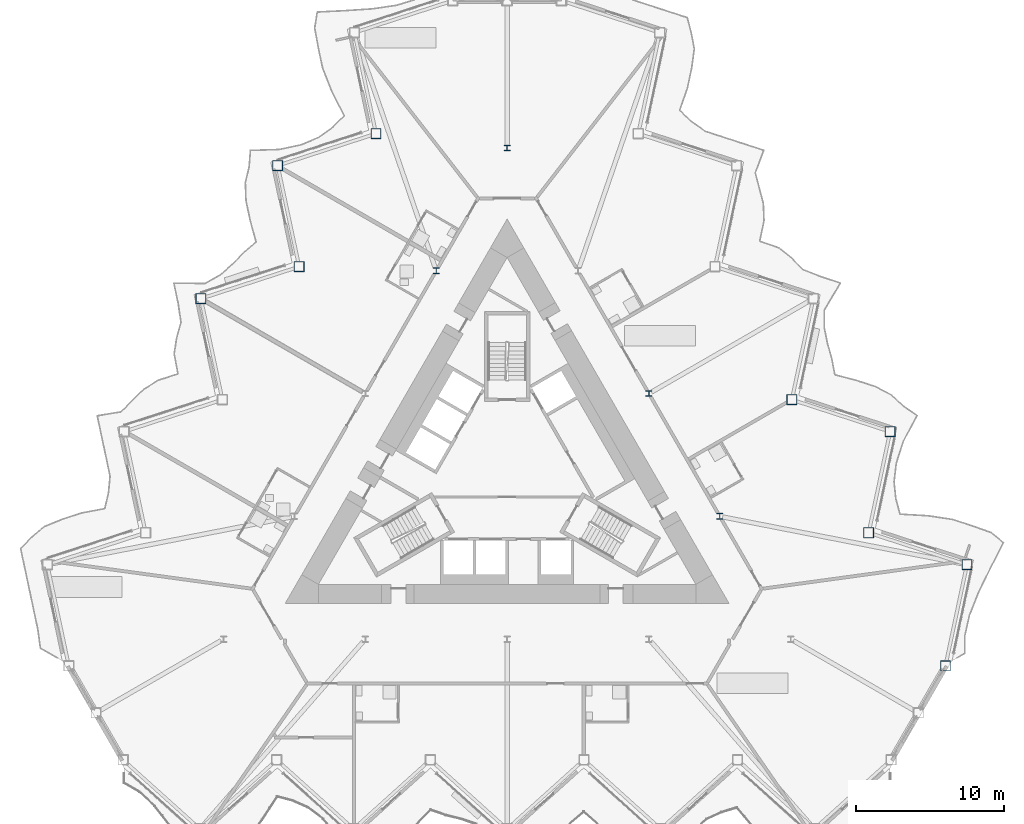
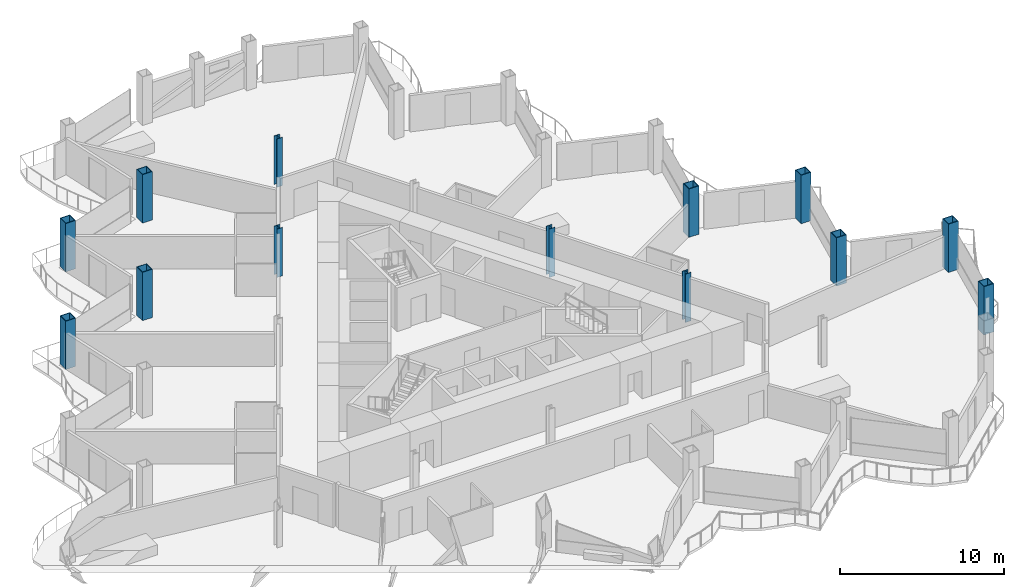
# One storey, part 2 of 23: 13 columns.
"""IFC4 building model written with IfcOpenShell, lengths in metres."""

from ifc_helpers import new_model, si_unit, direction, frame, origin, origin_2d, place, context, subcontext, project, spatial, hollow_rectangle, i_section, extrude, material, material_profile, profile_set, type_object, element, save


model = new_model("IFC4")

# Units and contexts
model_context = context("Model", 3, precision=1e-05, world=origin(), true_north=direction((0.0, 1.0)))
body_context = subcontext(model_context, "Body", "Model", "MODEL_VIEW")
ifc_project = project(units=[si_unit("LENGTHUNIT", "METRE"), si_unit("AREAUNIT", "SQUARE_METRE"), si_unit("VOLUMEUNIT", "CUBIC_METRE"), si_unit("PLANEANGLEUNIT", "RADIAN"), si_unit("MASSUNIT", "GRAM", prefix="KILO")], contexts=[model_context])

# Site, building, storey
site_placement = place(None, origin())
site = spatial("IfcSite", under=ifc_project, at=site_placement, CompositionType="ELEMENT")
building_placement = place(site_placement, origin())
building = spatial("IfcBuilding", under=site, at=building_placement, Name="Cormorant Prow Tower", CompositionType="ELEMENT")
storey_placement = place(building_placement, frame((0.0, 0.0, 249.0)))
storey = spatial("IfcBuildingStorey", under=building, at=storey_placement, Name="L55", CompositionType="ELEMENT", Elevation=249.0)

# Columns
ifc_material_1 = material(Name="Structural steel ASTM A572 Gr 50", Category="steel")
ifc_material_profile_1 = material_profile(ifc_material_1, hollow_rectangle(XDim=0.699951171875, YDim=0.699951171875, WallThickness=0.044921875, at=origin_2d()), Name="Box 700x700x45")
ifc_profile_set_1 = profile_set([ifc_material_profile_1], Name="Structural steel ASTM A572 Gr 50")
column_type_1 = type_object("IfcColumnType", Name="Perimeter box column 700x700x45", PredefinedType="COLUMN", material=ifc_profile_set_1)
for number, where, z_axis, x_axis, name in (
    (1, (29.611572265625, -12.858154296875, 0.0), (0.0, 0.0, 1.0), (1.0, 0.0, 0.0), "Perimeter column C5 at ENE00 L55"),
    (2, (31.063232421875, -6.029052734375, 0.0), (0.0, 0.0, 1.0), (1.0, 0.0, 0.0), "Perimeter column C5 at ENE01 L55"),
    (3, (24.42333984375, -3.871826171875, 0.0), (0.0, 0.0, 1.0), (1.0, 0.0, 0.0), "Perimeter column C5 at ENE02 L55"),
    (4, (25.875, 2.957275390625, 0.0), (0.0, 0.0, 1.0), (1.0, 0.0, 0.0), "Perimeter column C5 at ENE03 L55"),
    (5, (19.235107421875, 5.114501953125, 0.0), (0.0, 0.0, 1.0), (1.0, 0.0, 0.0), "Perimeter column C5 at ENE04 L55"),
    (6, (-8.858642578125, 23.087158203125, 0.0), (0.0, 0.0, 1.0), (1.0, 0.0, 0.0), "Perimeter column C5 at WNW02 L55"),
    (7, (-15.49853515625, 20.9296875, 0.0), (0.0, 0.0, 1.0), (1.0, 0.0, 0.0), "Perimeter column C5 at WNW03 L55"),
    (8, (-14.046875, 14.100830078125, 0.0), (0.0, 0.0, 1.0), (1.0, 0.0, 0.0), "Perimeter column C5 at WNW04 L55"),
    (9, (-20.686767578125, 11.943359375, 0.0), (0.0, 0.0, 1.0), (1.0, 0.0, 0.0), "Perimeter column C5 at WNW05 L55"),
):
    element("IfcColumn", number, at=place(storey_placement, frame(where, z_axis=z_axis, x_axis=x_axis)), inside=storey, type_object=column_type_1, Name=name, PredefinedType="COLUMN", context=body_context, shape_type="SweptSolid", body=[
        extrude(hollow_rectangle(XDim=0.699951171875, YDim=0.699951171875, WallThickness=0.044921875, at=origin_2d()), origin(), (0.0, 0.0, 1.0), 3.60009765625),
    ])
ifc_material_2 = material(Name="Structural steel ASTM A992 Gr 50", Category="steel")
ifc_material_profile_2 = material_profile(ifc_material_2, i_section(OverallWidth=0.39892578125, OverallDepth=0.393310546875, WebThickness=0.022705078125, FlangeThickness=0.03662109375, at=origin_2d()), Name="W14x193")
ifc_profile_set_2 = profile_set([ifc_material_profile_2], Name="Structural steel ASTM A992 Gr 50")
column_type_2 = type_object("IfcColumnType", Name="Ring column W14x193", PredefinedType="COLUMN", material=ifc_profile_set_2)
for number, where, z_axis, x_axis, name in (
    (10, (0.0, 22.12060546875, 0.0), (0.0, 0.0, 1.0), (1.0, 0.0, 0.0), "Ring column 1 L55"),
    (11, (-4.789306640625, 13.8251953125, 0.0), (0.0, 0.0, 1.0), (1.0, 0.0, 0.0), "Ring column 2 L55"),
    (12, (14.36767578125, -2.76513671875, 0.0), (0.0, 0.0, 1.0), (1.0, 0.0, 0.0), "Ring column 10 L55"),
    (13, (9.578369140625, 5.530029296875, 0.0), (0.0, 0.0, 1.0), (1.0, 0.0, 0.0), "Ring column 11 L55"),
):
    element("IfcColumn", number, at=place(storey_placement, frame(where, z_axis=z_axis, x_axis=x_axis)), inside=storey, type_object=column_type_2, Name=name, PredefinedType="COLUMN", context=body_context, shape_type="SweptSolid", body=[
        extrude(i_section(OverallWidth=0.39892578125, OverallDepth=0.393310546875, WebThickness=0.022705078125, FlangeThickness=0.03662109375, at=origin_2d()), origin(), (0.0, 0.0, 1.0), 3.60009765625),
    ])

save(model, "model.ifc")
